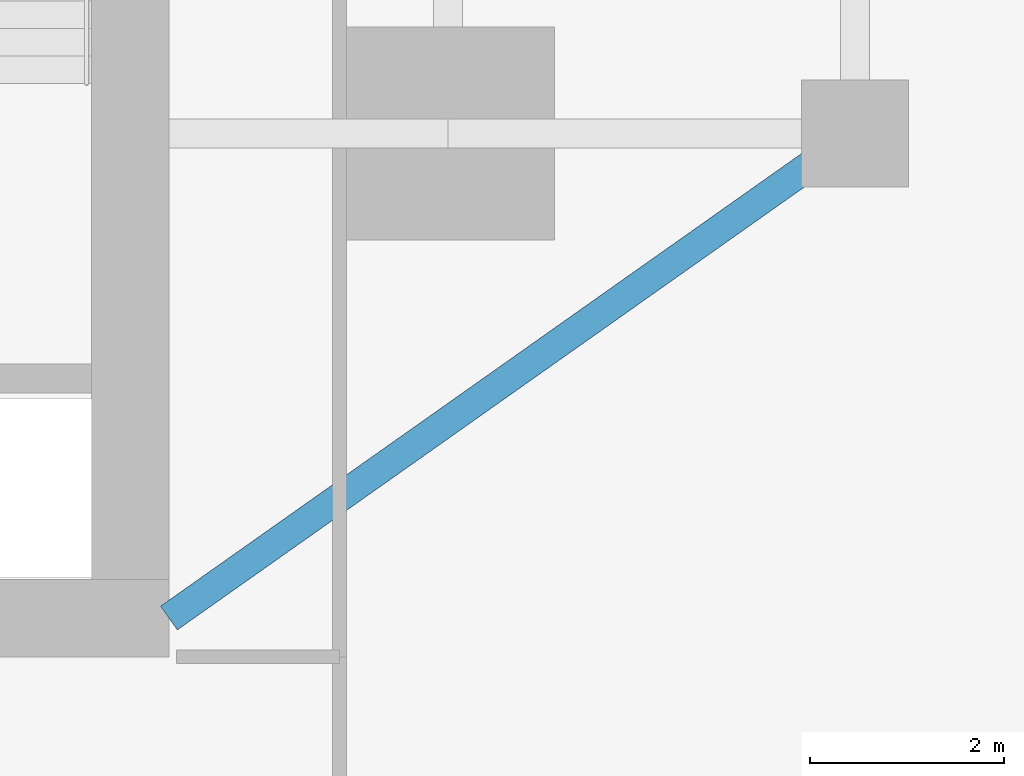
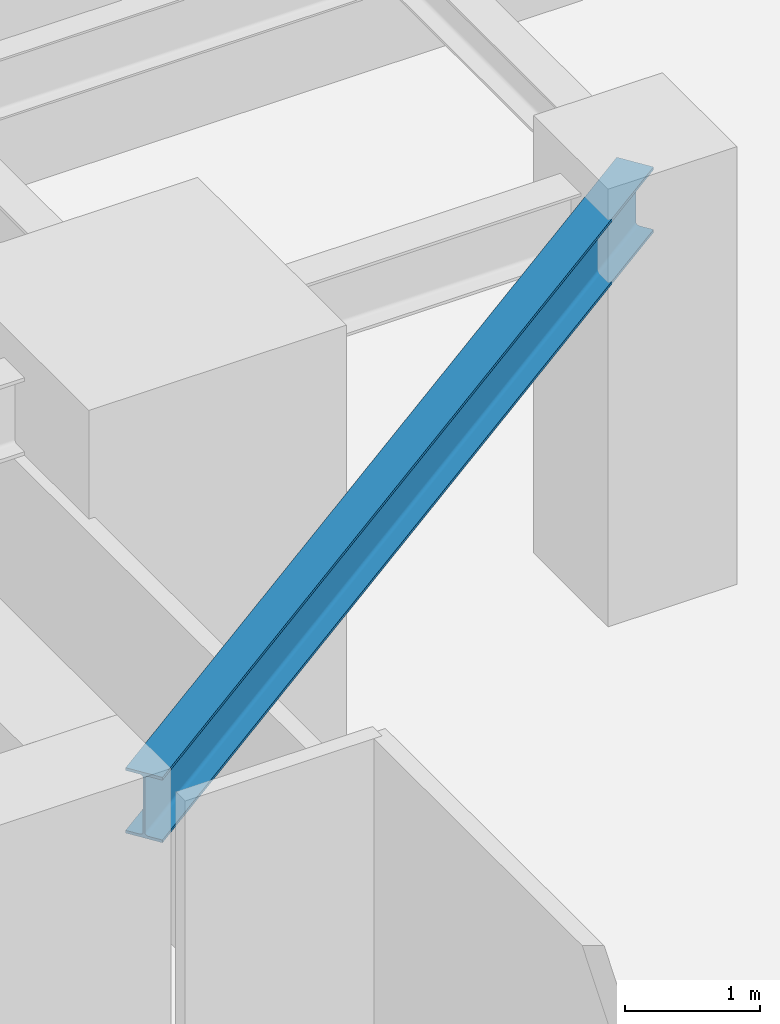
# One storey, part 11 of 28: 1 beam.
"""IFC4 building model written with IfcOpenShell, lengths in metres."""

from ifc_helpers import new_model, si_unit, direction, frame, origin, origin_2d, place, context, subcontext, project, spatial, i_section, extrude, source, transform, mapped, material, material_profile, profile_set, type_object, type_shapes, element, save


model = new_model("IFC4")

# Units and contexts
model_context = context("Model", 3, precision=1e-05, world=origin(), true_north=direction((0.0, 1.0)))
body_context = subcontext(model_context, "Body", "Model", "MODEL_VIEW")
ifc_project = project(units=[si_unit("LENGTHUNIT", "METRE"), si_unit("AREAUNIT", "SQUARE_METRE"), si_unit("VOLUMEUNIT", "CUBIC_METRE"), si_unit("PLANEANGLEUNIT", "RADIAN"), si_unit("MASSUNIT", "GRAM", prefix="KILO")], contexts=[model_context])

# Site, building, storey
site_placement = place(None, origin())
site = spatial("IfcSite", under=ifc_project, at=site_placement, CompositionType="ELEMENT")
building_placement = place(site_placement, origin())
building = spatial("IfcBuilding", under=site, at=building_placement, Name="Krantzveldt Concourse Tower", CompositionType="ELEMENT")
storey_placement = place(building_placement, frame((0.0, 0.0, 64.5)))
storey = spatial("IfcBuildingStorey", under=building, at=storey_placement, Name="L15", CompositionType="ELEMENT", Elevation=64.5)

# Beam
ifc_material = material(Name="Steel S355JR", Category="steel")
ifc_material_profile = material_profile(ifc_material, i_section(OverallWidth=0.300048828125, OverallDepth=0.590087890625, WebThickness=0.012939453125, FlangeThickness=0.02490234375, FilletRadius=0.027099609375, at=origin_2d()), Name="Steel S355JR", Category="steel")
ifc_profile_set = profile_set([ifc_material_profile], Name="Steel S355JR - HEA 600")
beam_type = type_object("IfcBeamType", Name="BM-B-HEA600", PredefinedType="BEAM", material=ifc_profile_set)
shared_shape = source(origin(), body_context, "Body", "SweptSolid", [
    extrude(i_section(OverallWidth=0.300048828125, OverallDepth=0.590087890625, WebThickness=0.012939453125, FlangeThickness=0.02490234375, FilletRadius=0.027099609375, at=origin_2d()), origin(), (0.0, 0.0, 1.0), 8.667724609375),
])
type_shapes(beam_type, [shared_shape])
beam_placement = place(storey_placement, frame((51.0, 15.89990234375, 3.375), z_axis=(-0.81684294656, -0.576860122261, 0.0), x_axis=(0.576860122261, -0.81684294656, 0.0)))
element("IfcBeam", 1, at=beam_placement, inside=storey, type_object=beam_type, Name="L15 Tower Girder BR-CSE", PredefinedType="BEAM", context=body_context, shape_type="MappedRepresentation", body=[
    mapped(shared_shape, transform((0.0, 0.0, 0.0), x_axis=(1.0, 0.0, 0.0), y_axis=(0.0, 1.0, 0.0), z_axis=(0.0, 0.0, 1.0), scale=1.0)),
])

save(model, "model.ifc")
